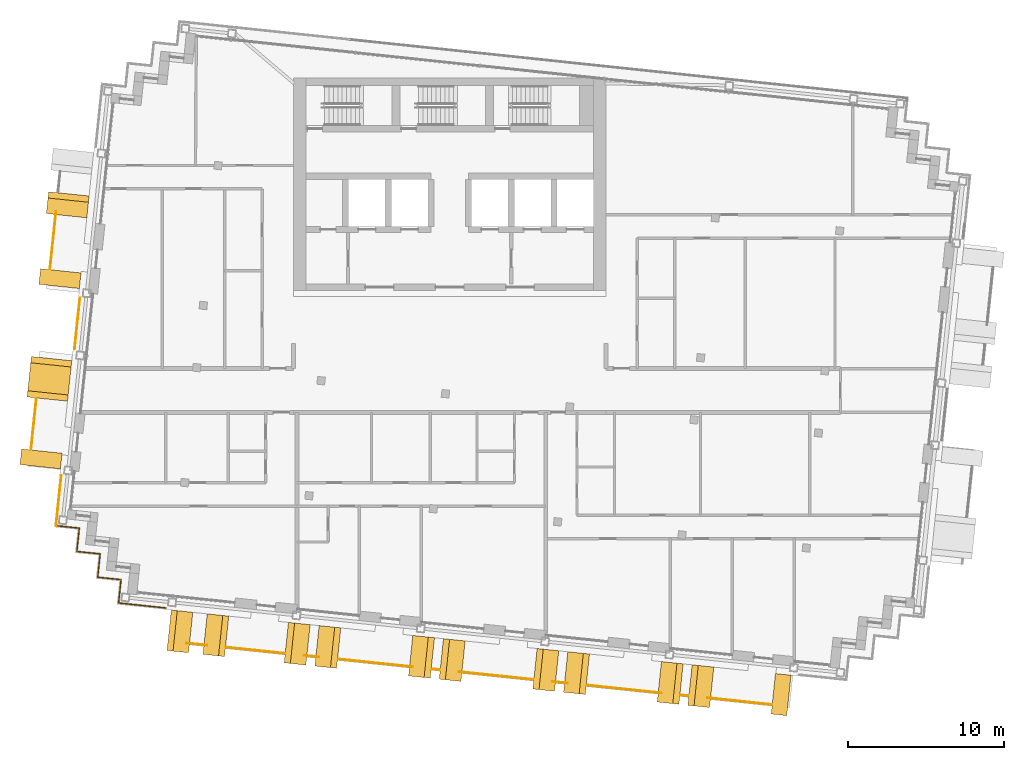
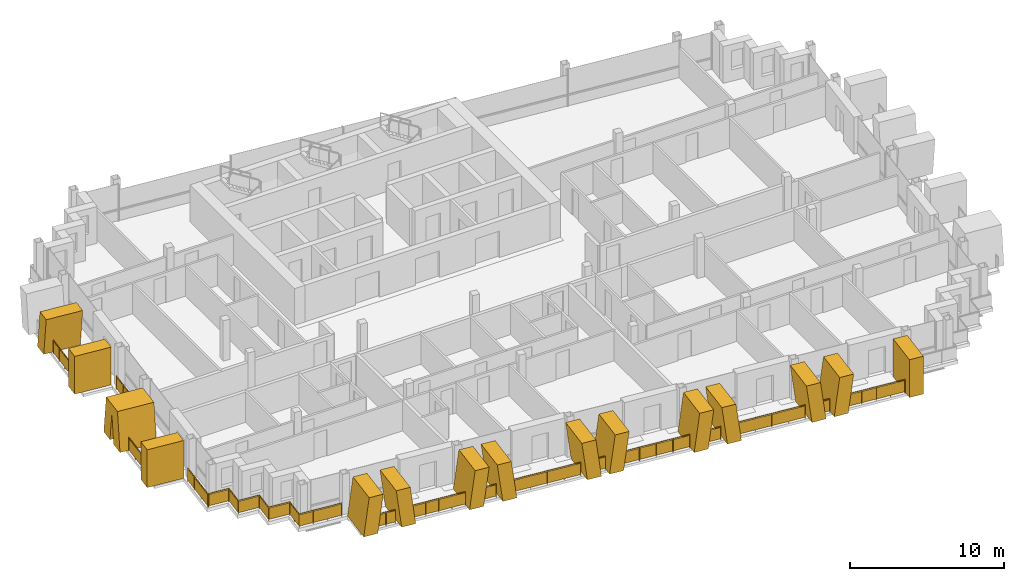
# One storey, part 13 of 16: 15 railings, 15 shading devices.
"""IFC4 building model written with IfcOpenShell, lengths in metres."""

import ifcopenshell
import ifcopenshell.guid

model = None  # the IFC model being written
_history = None  # IfcOwnerHistory: only IFC2X3 demands one
_inside = {}  # id of a spatial element -> (the spatial element, [elements in it])
_under = {}  # id of a project, library or spatial element -> (it, [spatial elements below it])
_declared = {}  # id of a project -> (the project, [libraries it declares])
_typed = {}  # id of a type object -> (the type object, [elements of that type])
_made_of = {}  # id of a material, layer set ... -> (it, [elements and type objects made of it])


def new_model(schema):
    """Start an empty IFC model of exactly this schema.

    Asked for "IFC4X3", IfcOpenShell would pick the latest addendum, in which some entities
    have other attributes; the version numbers below select the first issue.
    IFC2X3 requires an IfcOwnerHistory on every rooted entity: one is made here for all.
    """
    global model, _history
    if schema == "IFC4X3":
        model = ifcopenshell.file(schema_version=(4, 3, 0, 0))
    else:
        model = ifcopenshell.file(schema=schema)
    _inside.clear()
    _under.clear()
    _declared.clear()
    _typed.clear()
    _made_of.clear()
    _history = None
    if model.schema == "IFC2X3":
        org = make("IfcOrganization", Name="unknown")
        user = make(
            "IfcPersonAndOrganization",
            ThePerson=make("IfcPerson", FamilyName="unknown"),
            TheOrganization=org,
        )
        app = make(
            "IfcApplication",
            ApplicationDeveloper=org,
            Version="unknown",
            ApplicationFullName="unknown",
            ApplicationIdentifier="unknown",
        )
        _history = make(
            "IfcOwnerHistory",
            OwningUser=user,
            OwningApplication=app,
            ChangeAction="ADDED",
            CreationDate=0,
        )
    return model


def make(cls, **values):
    """One entity of the class cls with the attributes given. An attribute that is None is left unset."""
    return model.create_entity(
        cls, **{name: value for name, value in values.items() if value is not None}
    )


def rooted(cls, **values):
    """An entity with a GlobalId (a new one), such as an element, a storey or a relation."""
    return make(cls, GlobalId=ifcopenshell.guid.new(), OwnerHistory=_history, **values)


def si_unit(unit_type, name, prefix=None):
    """IfcSIUnit, for example si_unit("LENGTHUNIT", "METRE", prefix="MILLI")."""
    return make("IfcSIUnit", UnitType=unit_type, Prefix=prefix, Name=name)


def assignment(units):
    """IfcUnitAssignment: the units of a project."""
    return None if units is None else make("IfcUnitAssignment", Units=units)


def point(xyz):
    """IfcCartesianPoint."""
    return None if xyz is None else make("IfcCartesianPoint", Coordinates=xyz)


def direction(xyz):
    """IfcDirection."""
    return None if xyz is None else make("IfcDirection", DirectionRatios=xyz)


def frame(location, z_axis=None, x_axis=None):
    """IfcAxis2Placement3D, a coordinate frame: its origin and axes. An axis left out is left unset."""
    return make(
        "IfcAxis2Placement3D",
        Location=point(location),
        Axis=direction(z_axis),
        RefDirection=direction(x_axis),
    )


def frame_2d(location, x_axis=None):
    """IfcAxis2Placement2D, a coordinate frame in the plane: its origin and x axis."""
    return make(
        "IfcAxis2Placement2D", Location=point(location), RefDirection=direction(x_axis)
    )


def origin():
    """The frame at (0, 0, 0) with its axes left unset."""
    return frame((0.0, 0.0, 0.0))


def origin_2d():
    """The frame at (0, 0) in the plane with its x axis left unset."""
    return frame_2d((0.0, 0.0))


def place(relative_to, where):
    """IfcLocalPlacement: puts the frame where relative to a parent placement (None: the world)."""
    return make(
        "IfcLocalPlacement", PlacementRelTo=relative_to, RelativePlacement=where
    )


def context(
    kind, dimensions, precision=None, world=None, true_north=None, identifier=None
):
    """IfcGeometricRepresentationContext, for example the 3D "Model" context."""
    return make(
        "IfcGeometricRepresentationContext",
        ContextIdentifier=identifier,
        ContextType=kind,
        CoordinateSpaceDimension=dimensions,
        Precision=precision,
        WorldCoordinateSystem=world,
        TrueNorth=true_north,
    )


def subcontext(parent, identifier, kind, view, scale=None):
    """IfcGeometricRepresentationSubContext, for example "Body" below "Model"."""
    return make(
        "IfcGeometricRepresentationSubContext",
        ContextIdentifier=identifier,
        ContextType=kind,
        ParentContext=parent,
        TargetScale=scale,
        TargetView=view,
    )


def project(units=None, contexts=None):
    """IfcProject with its units and contexts."""
    return rooted(
        "IfcProject",
        Name="project",
        RepresentationContexts=contexts,
        UnitsInContext=assignment(units),
    )


def spatial(cls, under=None, at=None, **own):
    """A site, building, storey or space (cls), placed at a placement, below another one or the project."""
    s = rooted(cls, ObjectPlacement=at, **own)
    if under is not None:
        _under.setdefault(under.id(), (under, []))[1].append(s)
    return s


def polyline(points):
    """IfcPolyline through the points."""
    return make("IfcPolyline", Points=[point(p) for p in points])


def profile(cls, at=None, kind="AREA", **sizes):
    """A parametric profile (cls). Its sizes go by their IFC names, for example OverallWidth=200.0."""
    return make(cls, ProfileType=kind, Position=at, **sizes)


def rectangle(**sizes):
    """IfcRectangleProfileDef."""
    return profile("IfcRectangleProfileDef", **sizes)


def circle(**sizes):
    """IfcCircleProfileDef."""
    return profile("IfcCircleProfileDef", **sizes)


def outline(outer, holes=None, kind="AREA"):
    """IfcArbitraryClosedProfileDef: a profile drawn as a closed curve; with holes, ...WithVoids."""
    if holes is None:
        return make("IfcArbitraryClosedProfileDef", ProfileType=kind, OuterCurve=outer)
    return make(
        "IfcArbitraryProfileDefWithVoids",
        ProfileType=kind,
        OuterCurve=outer,
        InnerCurves=holes,
    )


def extrude(swept, where, along, depth):
    """IfcExtrudedAreaSolid: the profile swept, set in the frame where, extruded along a direction by depth."""
    return make(
        "IfcExtrudedAreaSolid",
        SweptArea=swept,
        Position=where,
        ExtrudedDirection=direction(along),
        Depth=depth,
    )


def shape(context_of_items, identifier, shape_type, items):
    """IfcShapeRepresentation: the items that make up one representation, for example the "Body"."""
    return make(
        "IfcShapeRepresentation",
        ContextOfItems=context_of_items,
        RepresentationIdentifier=identifier,
        RepresentationType=shape_type,
        Items=items,
    )


def material(Name=None, Category=None):
    """IfcMaterial."""
    return make("IfcMaterial", Name=Name, Category=Category)


def layer(
    of_material, thickness, ventilated=None, Name=None, Category=None, Priority=None
):
    """IfcMaterialLayer: one layer of a wall or slab, of a material (None: an air gap)."""
    return make(
        "IfcMaterialLayer",
        Material=of_material,
        LayerThickness=thickness,
        IsVentilated=ventilated,
        Name=Name,
        Category=Category,
        Priority=Priority,
    )


def layer_set(layers, Name=None):
    """IfcMaterialLayerSet."""
    return make("IfcMaterialLayerSet", MaterialLayers=layers, LayerSetName=Name)


def made_of(thing, what):
    """Note that an element or type object is made of a material, layer set ...; save() writes the relation."""
    if what is not None:
        _made_of.setdefault(what.id(), (what, []))[1].append(thing)
    return thing


def type_object(cls, material=None, **own):
    """A type object (cls), such as IfcWallType, which elements share."""
    return made_of(rooted(cls, **own), material)


def element(
    cls,
    number,
    at=None,
    inside=None,
    cuts=None,
    type_object=None,
    material=None,
    context=None,
    identifier="Body",
    shape_type=None,
    held_by="IfcProductDefinitionShape",
    body=None,
    shapes=None,
    **own,
):
    """One element of the class cls, such as IfcWall. Its Tag is "e" and its number.

    at: its placement. inside: the storey or other place that contains it. cuts: it is an
    opening in that element (IfcRelVoidsElement). A single representation is given by context,
    identifier, shape_type and body (its items); several are given by shapes. held_by: the class
    of the entity that holds the representations. save() writes the other relations.
    """
    e = rooted(cls, Tag="e%d" % number, ObjectPlacement=at, **own)
    if body is not None:
        shapes = [shape(context, identifier, shape_type, body)]
    if shapes is not None:
        e.Representation = make(held_by, Representations=shapes)
    if inside is not None:
        _inside.setdefault(inside.id(), (inside, []))[1].append(e)
    if cuts is not None:
        rooted(
            "IfcRelVoidsElement", RelatingBuildingElement=cuts, RelatedOpeningElement=e
        )
    if type_object is not None:
        _typed.setdefault(type_object.id(), (type_object, []))[1].append(e)
    return made_of(e, material)


def aggregate(whole, parts):
    """IfcRelAggregates: a whole, such as a stair, and the parts it consists of."""
    return rooted("IfcRelAggregates", RelatingObject=whole, RelatedObjects=parts)


def save(model, path):
    """Write the relations noted so far, then the file.

    IfcRelAggregates (storeys below a building ...), IfcRelContainedInSpatialStructure (elements
    in a storey), IfcRelDefinesByType, IfcRelAssociatesMaterial and IfcRelDeclares: one each for
    every whole, place, type object, material and project.
    """
    for whole, parts in _under.values():
        aggregate(whole, parts)
    for where, things in _inside.values():
        rooted(
            "IfcRelContainedInSpatialStructure",
            RelatedElements=things,
            RelatingStructure=where,
        )
    for kind, things in _typed.values():
        rooted("IfcRelDefinesByType", RelatedObjects=things, RelatingType=kind)
    for what, things in _made_of.values():
        rooted("IfcRelAssociatesMaterial", RelatedObjects=things, RelatingMaterial=what)
    for by, libraries in _declared.values():
        rooted("IfcRelDeclares", RelatingContext=by, RelatedDefinitions=libraries)
    model.write(path)


model = new_model("IFC4")

# Units and contexts
model_context = context("Model", 3, precision=1e-05, world=origin(), true_north=direction((0.0, 1.0)))
body_context = subcontext(model_context, "Body", "Model", "MODEL_VIEW")
ifc_project = project(units=[si_unit("LENGTHUNIT", "METRE"), si_unit("AREAUNIT", "SQUARE_METRE"), si_unit("VOLUMEUNIT", "CUBIC_METRE"), si_unit("PLANEANGLEUNIT", "RADIAN"), si_unit("MASSUNIT", "GRAM", prefix="KILO")], contexts=[model_context])

# Site, building, storey
site_placement = place(None, origin())
site = spatial("IfcSite", under=ifc_project, at=site_placement, CompositionType="ELEMENT")
building_placement = place(site_placement, origin())
building = spatial("IfcBuilding", under=site, at=building_placement, Name="Vidyagriha Tower", CompositionType="ELEMENT")
storey_placement = place(building_placement, frame((0.0, 0.0, 275.5)))
storey = spatial("IfcBuildingStorey", under=building, at=storey_placement, Name="L72", CompositionType="ELEMENT", Elevation=275.5)

# Railings
ifc_material_1 = material(Name="Steel ASTM A500 Grade C black painted", Category="steel")
railing_type_1 = type_object("IfcRailingType", Name="Balcony guard 1100", PredefinedType="BALUSTRADE", material=ifc_material_1)
railing_1_placement = place(storey_placement, frame((-25.19482421875, 11.453857421875, 0.0)))
element("IfcRailing", 1, at=railing_1_placement, inside=storey, type_object=railing_type_1, Name="Balcony guard L72 R14.1-2", PredefinedType="BALUSTRADE", context=body_context, shape_type="SweptSolid", body=[
    extrude(circle(Radius=0.02490234375, at=origin_2d()), frame((0.0, 0.0, 1.0751953125), z_axis=(-0.104543834433, -0.994520279674, 0.0), x_axis=(0.994520279674, -0.104543834433, 0.0)), (0.0, 0.0, 1.0), 3.69677734375),
    extrude(circle(Radius=0.02001953125, at=origin_2d()), origin(), (0.0, 0.0, 1.0), 1.050048828125),
    extrude(circle(Radius=0.02001953125, at=origin_2d()), frame((-0.0966796875, -0.919189453125, 0.0)), (0.0, 0.0, 1.0), 1.050048828125),
    extrude(circle(Radius=0.02001953125, at=origin_2d()), frame((-0.193359375, -1.83837890625, 0.0)), (0.0, 0.0, 1.0), 1.050048828125),
    extrude(circle(Radius=0.02001953125, at=origin_2d()), frame((-0.289794921875, -2.75732421875, 0.0)), (0.0, 0.0, 1.0), 1.050048828125),
    extrude(circle(Radius=0.02001953125, at=origin_2d()), frame((-0.386474609375, -3.676513671875, 0.0)), (0.0, 0.0, 1.0), 1.050048828125),
    extrude(rectangle(XDim=0.010009765625, YDim=0.900146484375, at=origin_2d()), frame((0.0, 0.0, 0.550048828125), z_axis=(-0.104543834433, -0.994520279674, 0.0), x_axis=(0.994520279674, -0.104543834433, 0.0)), (0.0, 0.0, 1.0), 3.69677734375),
])
railing_2_placement = place(storey_placement, frame((-26.4541015625, -0.52685546875, 0.0)))
element("IfcRailing", 2, at=railing_2_placement, inside=storey, type_object=railing_type_1, Name="Balcony guard L72 R14.2-1", PredefinedType="BALUSTRADE", context=body_context, shape_type="SweptSolid", body=[
    extrude(circle(Radius=0.02490234375, at=origin_2d()), frame((0.0, 0.0, 1.0751953125), z_axis=(-0.104567472619, -0.994517794547, 0.0), x_axis=(0.994517794547, -0.104567472619, 0.0)), (0.0, 0.0, 1.0), 3.25),
    extrude(circle(Radius=0.02001953125, at=origin_2d()), origin(), (0.0, 0.0, 1.0), 1.050048828125),
    extrude(circle(Radius=0.02001953125, at=origin_2d()), frame((-0.11328125, -1.077392578125, 0.0)), (0.0, 0.0, 1.0), 1.050048828125),
    extrude(circle(Radius=0.02001953125, at=origin_2d()), frame((-0.2265625, -2.15478515625, 0.0)), (0.0, 0.0, 1.0), 1.050048828125),
    extrude(circle(Radius=0.02001953125, at=origin_2d()), frame((-0.33984375, -3.232177734375, 0.0)), (0.0, 0.0, 1.0), 1.050048828125),
    extrude(rectangle(XDim=0.010009765625, YDim=0.900146484375, at=origin_2d()), frame((0.0, 0.0, 0.550048828125), z_axis=(-0.104567472619, -0.994517794547, 0.0), x_axis=(0.994517794547, -0.104567472619, 0.0)), (0.0, 0.0, 1.0), 3.25),
])
railing_3_placement = place(storey_placement, frame((-16.83837890625, -16.167724609375, 0.0)))
element("IfcRailing", 3, at=railing_3_placement, inside=storey, type_object=railing_type_1, Name="Balcony guard L72 R21.1-1", PredefinedType="BALUSTRADE", context=body_context, shape_type="SweptSolid", body=[
    extrude(circle(Radius=0.02490234375, at=origin_2d()), frame((0.0, 0.0, 1.0751953125), z_axis=(0.994530041935, -0.104450924788, 0.0), x_axis=(0.104450924788, 0.994530041935, 0.0)), (0.0, 0.0, 1.0), 1.30419921875),
    extrude(circle(Radius=0.02001953125, at=origin_2d()), origin(), (0.0, 0.0, 1.0), 1.050048828125),
    extrude(circle(Radius=0.02001953125, at=origin_2d()), frame((0.6484375, -0.068115234375, 0.0)), (0.0, 0.0, 1.0), 1.050048828125),
    extrude(circle(Radius=0.02001953125, at=origin_2d()), frame((1.297119140625, -0.13623046875, 0.0)), (0.0, 0.0, 1.0), 1.050048828125),
    extrude(rectangle(XDim=0.010009765625, YDim=0.900146484375, at=origin_2d()), frame((0.0, 0.0, 0.550048828125), z_axis=(0.994530041935, -0.104450924788, 0.0), x_axis=(0.104450924788, 0.994530041935, 0.0)), (0.0, 0.0, 1.0), 1.30419921875),
])
railing_4_placement = place(storey_placement, frame((-14.30029296875, -16.4345703125, 0.0)))
element("IfcRailing", 4, at=railing_4_placement, inside=storey, type_object=railing_type_1, Name="Balcony guard L72 R21.1-2", PredefinedType="BALUSTRADE", context=body_context, shape_type="SweptSolid", body=[
    extrude(circle(Radius=0.02490234375, at=origin_2d()), frame((0.0, 0.0, 1.0751953125), z_axis=(0.994523680138, -0.104511480926, 0.0), x_axis=(0.104511480926, 0.994523680138, 0.0)), (0.0, 0.0, 1.0), 3.739990234375),
    extrude(circle(Radius=0.02001953125, at=origin_2d()), origin(), (0.0, 0.0, 1.0), 1.050048828125),
    extrude(circle(Radius=0.02001953125, at=origin_2d()), frame((0.929931640625, -0.09765625, 0.0)), (0.0, 0.0, 1.0), 1.050048828125),
    extrude(circle(Radius=0.02001953125, at=origin_2d()), frame((1.85986328125, -0.1953125, 0.0)), (0.0, 0.0, 1.0), 1.050048828125),
    extrude(circle(Radius=0.02001953125, at=origin_2d()), frame((2.78955078125, -0.293212890625, 0.0)), (0.0, 0.0, 1.0), 1.050048828125),
    extrude(circle(Radius=0.02001953125, at=origin_2d()), frame((3.719482421875, -0.390869140625, 0.0)), (0.0, 0.0, 1.0), 1.050048828125),
    extrude(rectangle(XDim=0.010009765625, YDim=0.900146484375, at=origin_2d()), frame((0.0, 0.0, 0.550048828125), z_axis=(0.994523680138, -0.104511480926, 0.0), x_axis=(0.104511480926, 0.994523680138, 0.0)), (0.0, 0.0, 1.0), 3.739990234375),
])
railing_5_placement = place(storey_placement, frame((-9.336181640625, -16.956298828125, 0.0)))
element("IfcRailing", 5, at=railing_5_placement, inside=storey, type_object=railing_type_1, Name="Balcony guard L72 R21.1-3", PredefinedType="BALUSTRADE", context=body_context, shape_type="SweptSolid", body=[
    extrude(circle(Radius=0.02490234375, at=origin_2d()), frame((0.0, 0.0, 1.0751953125), z_axis=(0.99452479944, -0.10450082918, 0.0), x_axis=(0.10450082918, 0.99452479944, 0.0)), (0.0, 0.0, 1.0), 0.96728515625),
    extrude(circle(Radius=0.02001953125, at=origin_2d()), origin(), (0.0, 0.0, 1.0), 1.050048828125),
    extrude(circle(Radius=0.02001953125, at=origin_2d()), frame((0.9619140625, -0.10107421875, 0.0)), (0.0, 0.0, 1.0), 1.050048828125),
    extrude(rectangle(XDim=0.010009765625, YDim=0.900146484375, at=origin_2d()), frame((0.0, 0.0, 0.550048828125), z_axis=(0.99452479944, -0.10450082918, 0.0), x_axis=(0.10450082918, 0.99452479944, 0.0)), (0.0, 0.0, 1.0), 0.96728515625),
])
railing_6_placement = place(storey_placement, frame((-7.1298828125, -17.188232421875, 0.0)))
element("IfcRailing", 6, at=railing_6_placement, inside=storey, type_object=railing_type_1, Name="Balcony guard L72 R21.1-4", PredefinedType="BALUSTRADE", context=body_context, shape_type="SweptSolid", body=[
    extrude(circle(Radius=0.02490234375, at=origin_2d()), frame((0.0, 0.0, 1.0751953125), z_axis=(0.994526450542, -0.104485114597, 0.0), x_axis=(0.104485114597, 0.994526450542, 0.0)), (0.0, 0.0, 1.0), 4.773681640625),
    extrude(circle(Radius=0.02001953125, at=origin_2d()), origin(), (0.0, 0.0, 1.0), 1.050048828125),
    extrude(circle(Radius=0.02001953125, at=origin_2d()), frame((1.18701171875, -0.124755859375, 0.0)), (0.0, 0.0, 1.0), 1.050048828125),
    extrude(circle(Radius=0.02001953125, at=origin_2d()), frame((2.373779296875, -0.24951171875, 0.0)), (0.0, 0.0, 1.0), 1.050048828125),
    extrude(circle(Radius=0.02001953125, at=origin_2d()), frame((3.560546875, -0.3740234375, 0.0)), (0.0, 0.0, 1.0), 1.050048828125),
    extrude(circle(Radius=0.02001953125, at=origin_2d()), frame((4.74755859375, -0.498779296875, 0.0)), (0.0, 0.0, 1.0), 1.050048828125),
    extrude(rectangle(XDim=0.010009765625, YDim=0.900146484375, at=origin_2d()), frame((0.0, 0.0, 0.550048828125), z_axis=(0.994526450542, -0.104485114597, 0.0), x_axis=(0.104485114597, 0.994526450542, 0.0)), (0.0, 0.0, 1.0), 4.773681640625),
])
railing_7_placement = place(storey_placement, frame((-1.1376953125, -17.81787109375, 0.0)))
element("IfcRailing", 7, at=railing_7_placement, inside=storey, type_object=railing_type_1, Name="Balcony guard L72 R21.1-5", PredefinedType="BALUSTRADE", context=body_context, shape_type="SweptSolid", body=[
    extrude(circle(Radius=0.02490234375, at=origin_2d()), frame((0.0, 0.0, 1.0751953125), z_axis=(0.994494297851, -0.104790703508, 0.0), x_axis=(0.104790703508, 0.994494297851, 0.0)), (0.0, 0.0, 1.0), 0.47998046875),
    extrude(circle(Radius=0.02001953125, at=origin_2d()), origin(), (0.0, 0.0, 1.0), 1.050048828125),
    extrude(circle(Radius=0.02001953125, at=origin_2d()), frame((0.477294921875, -0.05029296875, 0.0)), (0.0, 0.0, 1.0), 1.050048828125),
    extrude(rectangle(XDim=0.010009765625, YDim=0.900146484375, at=origin_2d()), frame((0.0, 0.0, 0.550048828125), z_axis=(0.994494297851, -0.104790703508, 0.0), x_axis=(0.104790703508, 0.994494297851, 0.0)), (0.0, 0.0, 1.0), 0.47998046875),
])
railing_8_placement = place(storey_placement, frame((0.584228515625, -17.9990234375, 0.0)))
element("IfcRailing", 8, at=railing_8_placement, inside=storey, type_object=railing_type_1, Name="Balcony guard L72 R21.1-6", PredefinedType="BALUSTRADE", context=body_context, shape_type="SweptSolid", body=[
    extrude(circle(Radius=0.02490234375, at=origin_2d()), frame((0.0, 0.0, 1.0751953125), z_axis=(0.994525892164, -0.104490429298, 0.0), x_axis=(0.104490429298, 0.994525892164, 0.0)), (0.0, 0.0, 1.0), 4.7734375),
    extrude(circle(Radius=0.02001953125, at=origin_2d()), origin(), (0.0, 0.0, 1.0), 1.050048828125),
    extrude(circle(Radius=0.02001953125, at=origin_2d()), frame((1.186767578125, -0.124755859375, 0.0)), (0.0, 0.0, 1.0), 1.050048828125),
    extrude(circle(Radius=0.02001953125, at=origin_2d()), frame((2.37353515625, -0.24951171875, 0.0)), (0.0, 0.0, 1.0), 1.050048828125),
    extrude(circle(Radius=0.02001953125, at=origin_2d()), frame((3.560546875, -0.3740234375, 0.0)), (0.0, 0.0, 1.0), 1.050048828125),
    extrude(circle(Radius=0.02001953125, at=origin_2d()), frame((4.747314453125, -0.498779296875, 0.0)), (0.0, 0.0, 1.0), 1.050048828125),
    extrude(rectangle(XDim=0.010009765625, YDim=0.900146484375, at=origin_2d()), frame((0.0, 0.0, 0.550048828125), z_axis=(0.994525892164, -0.104490429298, 0.0), x_axis=(0.104490429298, 0.994525892164, 0.0)), (0.0, 0.0, 1.0), 4.7734375),
])
railing_9_placement = place(storey_placement, frame((6.576171875, -18.628662109375, 0.0)))
element("IfcRailing", 9, at=railing_9_placement, inside=storey, type_object=railing_type_1, Name="Balcony guard L72 R21.1-7", PredefinedType="BALUSTRADE", context=body_context, shape_type="SweptSolid", body=[
    extrude(circle(Radius=0.02490234375, at=origin_2d()), frame((0.0, 0.0, 1.0751953125), z_axis=(0.99452479944, -0.10450082918, 0.0), x_axis=(0.10450082918, 0.99452479944, 0.0)), (0.0, 0.0, 1.0), 0.96728515625),
    extrude(circle(Radius=0.02001953125, at=origin_2d()), origin(), (0.0, 0.0, 1.0), 1.050048828125),
    extrude(circle(Radius=0.02001953125, at=origin_2d()), frame((0.9619140625, -0.10107421875, 0.0)), (0.0, 0.0, 1.0), 1.050048828125),
    extrude(rectangle(XDim=0.010009765625, YDim=0.900146484375, at=origin_2d()), frame((0.0, 0.0, 0.550048828125), z_axis=(0.99452479944, -0.10450082918, 0.0), x_axis=(0.10450082918, 0.99452479944, 0.0)), (0.0, 0.0, 1.0), 0.96728515625),
])
railing_10_placement = place(storey_placement, frame((8.782470703125, -18.860595703125, 0.0)))
element("IfcRailing", 10, at=railing_10_placement, inside=storey, type_object=railing_type_1, Name="Balcony guard L72 R21.1-8", PredefinedType="BALUSTRADE", context=body_context, shape_type="SweptSolid", body=[
    extrude(circle(Radius=0.02490234375, at=origin_2d()), frame((0.0, 0.0, 1.0751953125), z_axis=(0.994521134852, -0.10453569884, 0.0), x_axis=(0.10453569884, 0.994521134852, 0.0)), (0.0, 0.0, 1.0), 4.773681640625),
    extrude(circle(Radius=0.02001953125, at=origin_2d()), origin(), (0.0, 0.0, 1.0), 1.050048828125),
    extrude(circle(Radius=0.02001953125, at=origin_2d()), frame((1.18701171875, -0.124755859375, 0.0)), (0.0, 0.0, 1.0), 1.050048828125),
    extrude(circle(Radius=0.02001953125, at=origin_2d()), frame((2.373779296875, -0.24951171875, 0.0)), (0.0, 0.0, 1.0), 1.050048828125),
    extrude(circle(Radius=0.02001953125, at=origin_2d()), frame((3.560546875, -0.374267578125, 0.0)), (0.0, 0.0, 1.0), 1.050048828125),
    extrude(circle(Radius=0.02001953125, at=origin_2d()), frame((4.74755859375, -0.4990234375, 0.0)), (0.0, 0.0, 1.0), 1.050048828125),
    extrude(rectangle(XDim=0.010009765625, YDim=0.900146484375, at=origin_2d()), frame((0.0, 0.0, 0.550048828125), z_axis=(0.994521134852, -0.10453569884, 0.0), x_axis=(0.10453569884, 0.994521134852, 0.0)), (0.0, 0.0, 1.0), 4.773681640625),
])
railing_11_placement = place(storey_placement, frame((14.774658203125, -19.490478515625, 0.0)))
element("IfcRailing", 11, at=railing_11_placement, inside=storey, type_object=railing_type_1, Name="Balcony guard L72 R21.1-9", PredefinedType="BALUSTRADE", context=body_context, shape_type="SweptSolid", body=[
    extrude(circle(Radius=0.02490234375, at=origin_2d()), frame((0.0, 0.0, 1.0751953125), z_axis=(0.994547186179, -0.104287556607, 0.0), x_axis=(0.104287556607, 0.994547186179, 0.0)), (0.0, 0.0, 1.0), 0.47998046875),
    extrude(circle(Radius=0.02001953125, at=origin_2d()), origin(), (0.0, 0.0, 1.0), 1.050048828125),
    extrude(circle(Radius=0.02001953125, at=origin_2d()), frame((0.477294921875, -0.050048828125, 0.0)), (0.0, 0.0, 1.0), 1.050048828125),
    extrude(rectangle(XDim=0.010009765625, YDim=0.900146484375, at=origin_2d()), frame((0.0, 0.0, 0.550048828125), z_axis=(0.994547186179, -0.104287556607, 0.0), x_axis=(0.104287556607, 0.994547186179, 0.0)), (0.0, 0.0, 1.0), 0.47998046875),
])
railing_12_placement = place(storey_placement, frame((16.49658203125, -19.67138671875, 0.0)))
element("IfcRailing", 12, at=railing_12_placement, inside=storey, type_object=railing_type_1, Name="Balcony guard L72 R21.1-10", PredefinedType="BALUSTRADE", context=body_context, shape_type="SweptSolid", body=[
    extrude(circle(Radius=0.02490234375, at=origin_2d()), frame((0.0, 0.0, 1.0751953125), z_axis=(0.994522046601, -0.104527024377, 0.0), x_axis=(0.104527024377, 0.994522046601, 0.0)), (0.0, 0.0, 1.0), 4.1083984375),
    extrude(circle(Radius=0.02001953125, at=origin_2d()), origin(), (0.0, 0.0, 1.0), 1.050048828125),
    extrude(circle(Radius=0.02001953125, at=origin_2d()), frame((1.021484375, -0.107421875, 0.0)), (0.0, 0.0, 1.0), 1.050048828125),
    extrude(circle(Radius=0.02001953125, at=origin_2d()), frame((2.04296875, -0.21484375, 0.0)), (0.0, 0.0, 1.0), 1.050048828125),
    extrude(circle(Radius=0.02001953125, at=origin_2d()), frame((3.064453125, -0.322021484375, 0.0)), (0.0, 0.0, 1.0), 1.050048828125),
    extrude(circle(Radius=0.02001953125, at=origin_2d()), frame((4.0859375, -0.429443359375, 0.0)), (0.0, 0.0, 1.0), 1.050048828125),
    extrude(rectangle(XDim=0.010009765625, YDim=0.900146484375, at=origin_2d()), frame((0.0, 0.0, 0.550048828125), z_axis=(0.994522046601, -0.104527024377, 0.0), x_axis=(0.104527024377, 0.994522046601, 0.0)), (0.0, 0.0, 1.0), 4.1083984375),
])

# Shading devices
ifc_material_2 = material(Name="Precast concrete C40/50 with buff brick facing", Category="concrete")
ifc_layer_1 = layer(ifc_material_2, 1.0)
ifc_layer_set_1 = layer_set([ifc_layer_1], Name="Precast concrete C40/50 with buff brick facing")
shading_device_type_1 = type_object("IfcShadingDeviceType", Name="Brick-faced blade fin arm leaning 8 degrees", PredefinedType="USERDEFINED", material=ifc_layer_set_1)
shading_device_1_placement = place(storey_placement, frame((-24.373046875, 12.577392578125, 0.0), z_axis=(0.0, 0.0, 1.0), x_axis=(-0.104457839748, -0.994529315664, 0.0)))
element("IfcShadingDevice", 13, at=shading_device_1_placement, inside=storey, type_object=shading_device_type_1, Name="Leaning blade fin L72 R14.330a", ObjectType="BLADE FIN", PredefinedType="USERDEFINED", context=body_context, shape_type="SweptSolid", body=[
    extrude(outline(polyline([(0.0, 0.0), (1.0, 0.0), (1.39990234375, 3.0), (0.39990234375, 3.0), (0.0, 0.0)])), frame((0.0, 1.300048828125, 0.0), z_axis=(0.0, -1.0, 0.0), x_axis=(1.0, 0.0, 0.0)), (0.0, 0.0, 1.0), 2.60009765625),
])
shading_device_2_placement = place(storey_placement, frame((-15.65478515625, -15.58837890625, 0.0), z_axis=(0.0, 0.0, 1.0), x_axis=(0.994525710414, -0.104492159156, 0.0)))
element("IfcShadingDevice", 14, at=shading_device_2_placement, inside=storey, type_object=shading_device_type_1, Name="Leaning blade fin L72 R21.230a", ObjectType="BLADE FIN", PredefinedType="USERDEFINED", context=body_context, shape_type="SweptSolid", body=[
    extrude(outline(polyline([(0.3857421875, 0.0), (1.3857421875, 0.0), (1.0, 3.0), (0.0, 3.0), (0.3857421875, 0.0)])), frame((0.0, 1.300048828125, 0.0), z_axis=(0.0, -1.0, 0.0), x_axis=(1.0, 0.0, 0.0)), (0.0, 0.0, 1.0), 2.60009765625),
])
shading_device_3_placement = place(storey_placement, frame((-17.95654296875, -15.346435546875, 0.0), z_axis=(0.0, 0.0, 1.0), x_axis=(0.994525710414, -0.104492159156, 0.0)))
element("IfcShadingDevice", 15, at=shading_device_3_placement, inside=storey, type_object=shading_device_type_1, Name="Leaning blade fin L72 R21.230b", ObjectType="BLADE FIN", PredefinedType="USERDEFINED", context=body_context, shape_type="SweptSolid", body=[
    extrude(outline(polyline([(0.0, 0.0), (1.0, 0.0), (1.3857421875, 3.0), (0.3857421875, 3.0), (0.0, 0.0)])), frame((0.0, 1.300048828125, 0.0), z_axis=(0.0, -1.0, 0.0), x_axis=(1.0, 0.0, 0.0)), (0.0, 0.0, 1.0), 2.60009765625),
])
shading_device_4_placement = place(storey_placement, frame((-8.49365234375, -16.3408203125, 0.0), z_axis=(0.0, 0.0, 1.0), x_axis=(0.99450928781, -0.104648346667, 0.0)))
element("IfcShadingDevice", 16, at=shading_device_4_placement, inside=storey, type_object=shading_device_type_1, Name="Leaning blade fin L72 R21.1030a", ObjectType="BLADE FIN", PredefinedType="USERDEFINED", context=body_context, shape_type="SweptSolid", body=[
    extrude(outline(polyline([(0.39501953125, 0.0), (1.39501953125, 0.0), (1.0, 3.0), (0.0, 3.0), (0.39501953125, 0.0)])), frame((0.0, 1.300048828125, 0.0), z_axis=(0.0, -1.0, 0.0), x_axis=(1.0, 0.0, 0.0)), (0.0, 0.0, 1.0), 2.60009765625),
])
for number, where, z_axis, x_axis, name in (
    (17, (-10.4580078125, -16.134521484375, 0.0), (0.0, 0.0, 1.0), (0.9945274857, -0.104475261123, 0.0), "Leaning blade fin L72 R21.1030b"),
    (18, (-0.53759765625, -17.17724609375, 0.0), (0.0, 0.0, 1.0), (0.9945274857, -0.104475261123, 0.0), "Leaning blade fin L72 R21.1830a"),
):
    element("IfcShadingDevice", number, at=place(storey_placement, frame(where, z_axis=z_axis, x_axis=x_axis)), inside=storey, type_object=shading_device_type_1, Name=name, ObjectType="BLADE FIN", PredefinedType="USERDEFINED", context=body_context, shape_type="SweptSolid", body=[
        extrude(outline(polyline([(0.0, 0.0), (1.0, 0.0), (1.39501953125, 3.0), (0.39501953125, 3.0), (0.0, 0.0)])), frame((0.0, 1.300048828125, 0.0), z_axis=(0.0, -1.0, 0.0), x_axis=(1.0, 0.0, 0.0)), (0.0, 0.0, 1.0), 2.60009765625),
    ])
for number, where, z_axis, x_axis, name in (
    (19, (-2.501708984375, -16.970703125, 0.0), (0.0, 0.0, 1.0), (0.9945274857, -0.104475261123, 0.0), "Leaning blade fin L72 R21.1830b"),
    (20, (7.418701171875, -18.013427734375, 0.0), (0.0, 0.0, 1.0), (0.994525575058, -0.104493447432, 0.0), "Leaning blade fin L72 R21.2630a"),
):
    element("IfcShadingDevice", number, at=place(storey_placement, frame(where, z_axis=z_axis, x_axis=x_axis)), inside=storey, type_object=shading_device_type_1, Name=name, ObjectType="BLADE FIN", PredefinedType="USERDEFINED", context=body_context, shape_type="SweptSolid", body=[
        extrude(outline(polyline([(0.39501953125, 0.0), (1.39501953125, 0.0), (1.0, 3.0), (0.0, 3.0), (0.39501953125, 0.0)])), frame((0.0, 1.300048828125, 0.0), z_axis=(0.0, -1.0, 0.0), x_axis=(1.0, 0.0, 0.0)), (0.0, 0.0, 1.0), 2.60009765625),
    ])
for number, where, z_axis, x_axis, name in (
    (21, (5.45458984375, -17.806884765625, 0.0), (0.0, 0.0, 1.0), (0.994507370866, -0.104666562439, 0.0), "Leaning blade fin L72 R21.2630b"),
    (22, (15.374755859375, -18.849609375, 0.0), (0.0, 0.0, 1.0), (0.9945274857, -0.104475261123, 0.0), "Leaning blade fin L72 R21.3430a"),
):
    element("IfcShadingDevice", number, at=place(storey_placement, frame(where, z_axis=z_axis, x_axis=x_axis)), inside=storey, type_object=shading_device_type_1, Name=name, ObjectType="BLADE FIN", PredefinedType="USERDEFINED", context=body_context, shape_type="SweptSolid", body=[
        extrude(outline(polyline([(0.0, 0.0), (1.0, 0.0), (1.39501953125, 3.0), (0.39501953125, 3.0), (0.0, 0.0)])), frame((0.0, 1.300048828125, 0.0), z_axis=(0.0, -1.0, 0.0), x_axis=(1.0, 0.0, 0.0)), (0.0, 0.0, 1.0), 2.60009765625),
    ])
shading_device_5_placement = place(storey_placement, frame((13.41064453125, -18.643310546875, 0.0), z_axis=(0.0, 0.0, 1.0), x_axis=(0.9945274857, -0.104475261123, 0.0)))
element("IfcShadingDevice", 23, at=shading_device_5_placement, inside=storey, type_object=shading_device_type_1, Name="Leaning blade fin L72 R21.3430b", ObjectType="BLADE FIN", PredefinedType="USERDEFINED", context=body_context, shape_type="SweptSolid", body=[
    extrude(outline(polyline([(0.39501953125, 0.0), (1.39501953125, 0.0), (1.0, 3.0), (0.0, 3.0), (0.39501953125, 0.0)])), frame((0.0, 1.300048828125, 0.0), z_axis=(0.0, -1.0, 0.0), x_axis=(1.0, 0.0, 0.0)), (0.0, 0.0, 1.0), 2.60009765625),
])
ifc_material_3 = material(Name="Precast concrete C40/50 with buff brick facing", Category="concrete")
ifc_layer_2 = layer(ifc_material_3, 1.0)
ifc_layer_set_2 = layer_set([ifc_layer_2], Name="Precast concrete C40/50 with buff brick facing")
shading_device_type_2 = type_object("IfcShadingDeviceType", Name="Brick-faced blade fin forking 8 degrees", PredefinedType="USERDEFINED", material=ifc_layer_set_2)
shading_device_6_placement = place(storey_placement, frame((-25.48095703125, 2.035400390625, 0.0), z_axis=(0.0, 0.0, 1.0), x_axis=(-0.104513699976, -0.994523446942, 0.0)))
element("IfcShadingDevice", 24, at=shading_device_6_placement, inside=storey, type_object=shading_device_type_2, Name="Forked blade fin L72 R14.1630a", ObjectType="BLADE FIN", PredefinedType="USERDEFINED", context=body_context, shape_type="SweptSolid", body=[
    extrude(outline(polyline([(1.0, 0.0), (1.300048828125, 2.25), (1.60009765625, 0.0), (2.60009765625, 0.0), (2.199951171875, 3.0), (0.39990234375, 3.0), (0.0, 0.0), (1.0, 0.0)])), frame((0.0, 1.300048828125, 0.0), z_axis=(0.0, -1.0, 0.0), x_axis=(1.0, 0.0, 0.0)), (0.0, 0.0, 1.0), 2.60009765625),
])
ifc_material_4 = material(Name="Precast concrete C40/50 with buff brick facing", Category="concrete")
ifc_layer_3 = layer(ifc_material_4, 1.0)
ifc_layer_set_3 = layer_set([ifc_layer_3], Name="Precast concrete C40/50 with buff brick facing")
shading_device_type_3 = type_object("IfcShadingDeviceType", Name="Brick-faced blade fin stem 1000", PredefinedType="USERDEFINED", material=ifc_layer_set_3)
for number, where, z_axis, x_axis, name in (
    (25, (-24.890380859375, 7.654541015625, 0.0), (0.0, 0.0, 1.0), (-0.104481464157, -0.994526834051, 0.0), "Stem blade fin L72 R14.1230a"),
    (26, (-26.102783203125, -3.882080078125, 0.0), (0.0, 0.0, 1.0), (-0.104748335039, -0.99449876134, 0.0), "Stem blade fin L72 R14.2370a"),
    (27, (20.70556640625, -19.409912109375, 0.0), (0.0, 0.0, 1.0), (0.994524168223, -0.104506836238, 0.0), "Stem blade fin L72 R21.4230a"),
):
    element("IfcShadingDevice", number, at=place(storey_placement, frame(where, z_axis=z_axis, x_axis=x_axis)), inside=storey, type_object=shading_device_type_3, Name=name, ObjectType="BLADE FIN", PredefinedType="USERDEFINED", context=body_context, shape_type="SweptSolid", body=[
        extrude(outline(polyline([(0.0, 0.0), (1.0, 0.0), (1.0, 3.0), (0.0, 3.0), (0.0, 0.0)])), frame((0.0, 1.300048828125, 0.0), z_axis=(0.0, -1.0, 0.0), x_axis=(1.0, 0.0, 0.0)), (0.0, 0.0, 1.0), 2.60009765625),
    ])

# Railings
ifc_material_5 = material(Name="Steel ASTM A500 Grade C black painted", Category="steel")
railing_type_2 = type_object("IfcRailingType", Name="Gallery guard 1100", PredefinedType="GUARDRAIL", material=ifc_material_5)
railing_13_placement = place(storey_placement, frame((-18.168212890625, -13.91650390625, 0.0)))
element("IfcRailing", 28, at=railing_13_placement, inside=storey, type_object=railing_type_2, Name="Gallery guard L72 1", PredefinedType="GUARDRAIL", context=body_context, shape_type="SweptSolid", body=[
    extrude(circle(Radius=0.02490234375, at=origin_2d()), frame((0.0, 0.0, 1.0751953125), z_axis=(-0.994518646122, 0.104559373163, 0.0), x_axis=(-0.104559373163, -0.994518646122, 0.0)), (0.0, 0.0, 1.0), 3.0400390625),
    extrude(circle(Radius=0.02490234375, at=origin_2d()), frame((-3.0234375, 0.31787109375, 1.0751953125), z_axis=(0.104481464157, 0.994526834051, 0.0), x_axis=(-0.994526834051, 0.104481464157, 0.0)), (0.0, 0.0, 1.0), 1.500244140625),
    extrude(circle(Radius=0.02490234375, at=origin_2d()), frame((-2.86669921875, 1.809814453125, 1.0751953125), z_axis=(-0.994525057048, 0.104498377516, 0.0), x_axis=(-0.104498377516, -0.994525057048, 0.0)), (0.0, 0.0, 1.0), 1.5),
    extrude(circle(Radius=0.02490234375, at=origin_2d()), frame((-4.3583984375, 1.966552734375, 1.0751953125), z_axis=(0.104498377516, 0.994525057048, 0.0), x_axis=(-0.994525057048, 0.104498377516, 0.0)), (0.0, 0.0, 1.0), 1.5),
    extrude(circle(Radius=0.02490234375, at=origin_2d()), frame((-4.20166015625, 3.458251953125, 1.0751953125), z_axis=(-0.994525057048, 0.104498377516, 0.0), x_axis=(-0.104498377516, -0.994525057048, 0.0)), (0.0, 0.0, 1.0), 1.5),
    extrude(circle(Radius=0.02490234375, at=origin_2d()), frame((-5.693359375, 3.614990234375, 1.0751953125), z_axis=(0.104498377516, 0.994525057048, 0.0), x_axis=(-0.994525057048, 0.104498377516, 0.0)), (0.0, 0.0, 1.0), 1.5),
    extrude(circle(Radius=0.02490234375, at=origin_2d()), frame((-5.53662109375, 5.106689453125, 1.0751953125), z_axis=(-0.994505452921, 0.104684784518, 0.0), x_axis=(-0.104684784518, -0.994505452921, 0.0)), (0.0, 0.0, 1.0), 1.4599609375),
    extrude(circle(Radius=0.02001953125, at=origin_2d()), origin(), (0.0, 0.0, 1.0), 1.050048828125),
    extrude(circle(Radius=0.02001953125, at=origin_2d()), frame((-1.0078125, 0.10595703125, 0.0)), (0.0, 0.0, 1.0), 1.050048828125),
    extrude(circle(Radius=0.02001953125, at=origin_2d()), frame((-2.015625, 0.2119140625, 0.0)), (0.0, 0.0, 1.0), 1.050048828125),
    extrude(circle(Radius=0.02001953125, at=origin_2d()), frame((-3.0234375, 0.31787109375, 0.0)), (0.0, 0.0, 1.0), 1.050048828125),
    extrude(circle(Radius=0.02001953125, at=origin_2d()), frame((-2.945068359375, 1.06396484375, 0.0)), (0.0, 0.0, 1.0), 1.050048828125),
    extrude(circle(Radius=0.02001953125, at=origin_2d()), frame((-2.86669921875, 1.809814453125, 0.0)), (0.0, 0.0, 1.0), 1.050048828125),
    extrude(circle(Radius=0.02001953125, at=origin_2d()), frame((-4.3583984375, 1.966552734375, 0.0)), (0.0, 0.0, 1.0), 1.050048828125),
    extrude(circle(Radius=0.02001953125, at=origin_2d()), frame((-4.20166015625, 3.458251953125, 0.0)), (0.0, 0.0, 1.0), 1.050048828125),
    extrude(circle(Radius=0.02001953125, at=origin_2d()), frame((-5.693359375, 3.614990234375, 0.0)), (0.0, 0.0, 1.0), 1.050048828125),
    extrude(circle(Radius=0.02001953125, at=origin_2d()), frame((-5.53662109375, 5.106689453125, 0.0)), (0.0, 0.0, 1.0), 1.050048828125),
    extrude(circle(Radius=0.02001953125, at=origin_2d()), frame((-6.988525390625, 5.259521484375, 0.0)), (0.0, 0.0, 1.0), 1.050048828125),
    extrude(rectangle(XDim=0.010009765625, YDim=0.900146484375, at=origin_2d()), frame((0.0, 0.0, 0.550048828125), z_axis=(-0.994518646122, 0.104559373163, 0.0), x_axis=(-0.104559373163, -0.994518646122, 0.0)), (0.0, 0.0, 1.0), 3.0400390625),
    extrude(rectangle(XDim=0.010009765625, YDim=0.900146484375, at=origin_2d()), frame((-3.0234375, 0.31787109375, 0.550048828125), z_axis=(0.104481464157, 0.994526834051, 0.0), x_axis=(-0.994526834051, 0.104481464157, 0.0)), (0.0, 0.0, 1.0), 1.500244140625),
    extrude(rectangle(XDim=0.010009765625, YDim=0.900146484375, at=origin_2d()), frame((-2.86669921875, 1.809814453125, 0.550048828125), z_axis=(-0.994525057048, 0.104498377516, 0.0), x_axis=(-0.104498377516, -0.994525057048, 0.0)), (0.0, 0.0, 1.0), 1.5),
    extrude(rectangle(XDim=0.010009765625, YDim=0.900146484375, at=origin_2d()), frame((-4.3583984375, 1.966552734375, 0.550048828125), z_axis=(0.104498377516, 0.994525057048, 0.0), x_axis=(-0.994525057048, 0.104498377516, 0.0)), (0.0, 0.0, 1.0), 1.5),
    extrude(rectangle(XDim=0.010009765625, YDim=0.900146484375, at=origin_2d()), frame((-4.20166015625, 3.458251953125, 0.550048828125), z_axis=(-0.994525057048, 0.104498377516, 0.0), x_axis=(-0.104498377516, -0.994525057048, 0.0)), (0.0, 0.0, 1.0), 1.5),
    extrude(rectangle(XDim=0.010009765625, YDim=0.900146484375, at=origin_2d()), frame((-5.693359375, 3.614990234375, 0.550048828125), z_axis=(0.104498377516, 0.994525057048, 0.0), x_axis=(-0.994525057048, 0.104498377516, 0.0)), (0.0, 0.0, 1.0), 1.5),
    extrude(rectangle(XDim=0.010009765625, YDim=0.900146484375, at=origin_2d()), frame((-5.53662109375, 5.106689453125, 0.550048828125), z_axis=(-0.994505452921, 0.104684784518, 0.0), x_axis=(-0.104684784518, -0.994505452921, 0.0)), (0.0, 0.0, 1.0), 1.4599609375),
])
railing_14_placement = place(storey_placement, frame((-25.15673828125, -8.656982421875, 0.0)))
element("IfcRailing", 29, at=railing_14_placement, inside=storey, type_object=railing_type_2, Name="Gallery guard L72 2", PredefinedType="GUARDRAIL", context=body_context, shape_type="SweptSolid", body=[
    extrude(circle(Radius=0.02490234375, at=origin_2d()), frame((0.0, 0.0, 1.0751953125), z_axis=(-0.99460530117, 0.103731841226, 0.0), x_axis=(-0.103731841226, -0.99460530117, 0.0)), (0.0, 0.0, 1.0), 0.0400390625),
    extrude(circle(Radius=0.02490234375, at=origin_2d()), frame((-0.039794921875, 0.004150390625, 1.0751953125), z_axis=(0.104516113735, 0.994523193279, 0.0), x_axis=(-0.994523193279, 0.104516113735, 0.0)), (0.0, 0.0, 1.0), 3.239990234375),
    extrude(circle(Radius=0.02001953125, at=origin_2d()), origin(), (0.0, 0.0, 1.0), 1.050048828125),
    extrude(circle(Radius=0.02001953125, at=origin_2d()), frame((-0.039794921875, 0.004150390625, 0.0)), (0.0, 0.0, 1.0), 1.050048828125),
    extrude(circle(Radius=0.02001953125, at=origin_2d()), frame((0.072998046875, 1.078125, 0.0)), (0.0, 0.0, 1.0), 1.050048828125),
    extrude(circle(Radius=0.02001953125, at=origin_2d()), frame((0.18603515625, 2.15234375, 0.0)), (0.0, 0.0, 1.0), 1.050048828125),
    extrude(circle(Radius=0.02001953125, at=origin_2d()), frame((0.298828125, 3.226318359375, 0.0)), (0.0, 0.0, 1.0), 1.050048828125),
    extrude(rectangle(XDim=0.010009765625, YDim=0.900146484375, at=origin_2d()), frame((0.0, 0.0, 0.550048828125), z_axis=(-0.99460530117, 0.103731841226, 0.0), x_axis=(-0.103731841226, -0.99460530117, 0.0)), (0.0, 0.0, 1.0), 0.0400390625),
    extrude(rectangle(XDim=0.010009765625, YDim=0.900146484375, at=origin_2d()), frame((-0.039794921875, 0.004150390625, 0.550048828125), z_axis=(0.104516113735, 0.994523193279, 0.0), x_axis=(-0.994523193279, 0.104516113735, 0.0)), (0.0, 0.0, 1.0), 3.239990234375),
])
railing_15_placement = place(storey_placement, frame((-24.009033203125, 2.64501953125, 0.0)))
element("IfcRailing", 30, at=railing_15_placement, inside=storey, type_object=railing_type_2, Name="Gallery guard L72 3", PredefinedType="GUARDRAIL", context=body_context, shape_type="SweptSolid", body=[
    extrude(circle(Radius=0.02490234375, at=origin_2d()), frame((0.0, 0.0, 1.0751953125), z_axis=(0.104506547029, 0.994524198614, 0.0), x_axis=(-0.994524198614, 0.104506547029, 0.0)), (0.0, 0.0, 1.0), 3.280029296875),
    extrude(circle(Radius=0.02001953125, at=origin_2d()), origin(), (0.0, 0.0, 1.0), 1.050048828125),
    extrude(circle(Radius=0.02001953125, at=origin_2d()), frame((0.1142578125, 1.08740234375, 0.0)), (0.0, 0.0, 1.0), 1.050048828125),
    extrude(circle(Radius=0.02001953125, at=origin_2d()), frame((0.228515625, 2.174560546875, 0.0)), (0.0, 0.0, 1.0), 1.050048828125),
    extrude(circle(Radius=0.02001953125, at=origin_2d()), frame((0.3427734375, 3.261962890625, 0.0)), (0.0, 0.0, 1.0), 1.050048828125),
    extrude(rectangle(XDim=0.010009765625, YDim=0.900146484375, at=origin_2d()), frame((0.0, 0.0, 0.550048828125), z_axis=(0.104506547029, 0.994524198614, 0.0), x_axis=(-0.994524198614, 0.104506547029, 0.0)), (0.0, 0.0, 1.0), 3.280029296875),
])

save(model, "model.ifc")
